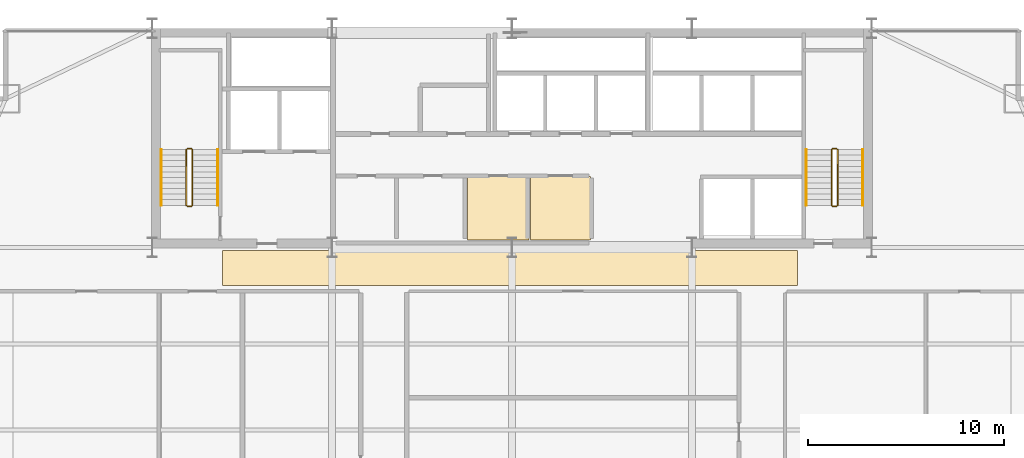
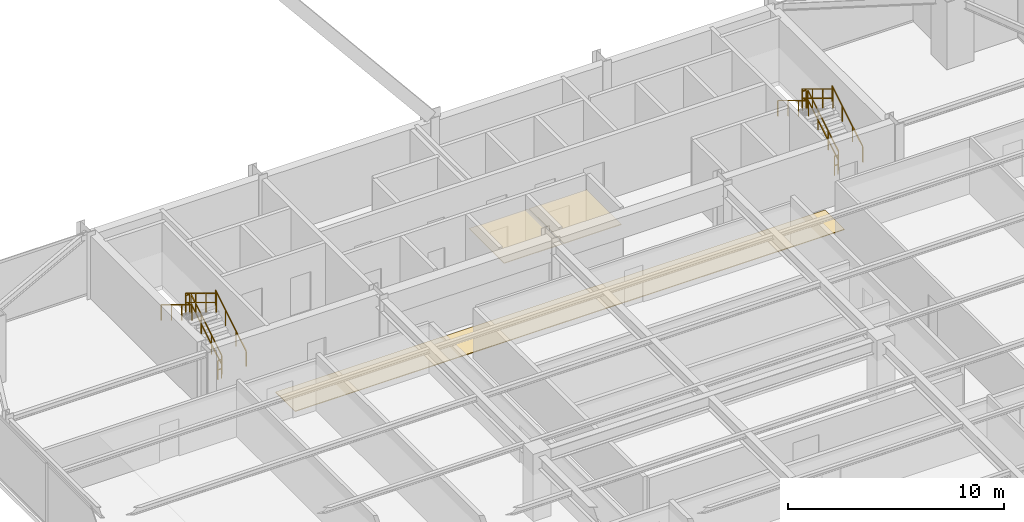
# One storey, part 37 of 37: 12 railings, 3 coverings.
"""IFC4 building model written with IfcOpenShell, lengths in metres."""

from ifc_helpers import new_model, si_unit, direction, frame, origin, origin_2d, place, context, subcontext, project, spatial, polyline, rectangle, outline, extrude, material, layer, layer_set, type_object, element, save


model = new_model("IFC4")

# Units and contexts
model_context = context("Model", 3, precision=1e-05, world=origin(), true_north=direction((0.0, 1.0)))
body_context = subcontext(model_context, "Body", "Model", "MODEL_VIEW")
ifc_project = project(units=[si_unit("LENGTHUNIT", "METRE"), si_unit("AREAUNIT", "SQUARE_METRE"), si_unit("VOLUMEUNIT", "CUBIC_METRE"), si_unit("PLANEANGLEUNIT", "RADIAN"), si_unit("MASSUNIT", "GRAM", prefix="KILO")], contexts=[model_context])

# Site, building, storey
site_placement = place(None, origin())
site = spatial("IfcSite", under=ifc_project, at=site_placement, CompositionType="ELEMENT")
building_placement = place(site_placement, origin())
building = spatial("IfcBuilding", under=site, at=building_placement, Name="Varnel Quay Broadcast Tower", CompositionType="ELEMENT")
storey_placement = place(building_placement, frame((0.0, 0.0, 125.800048828125)))
storey = spatial("IfcBuildingStorey", under=building, at=storey_placement, Name="L30", CompositionType="ELEMENT", Elevation=125.800048828125)

# Coverings
ifc_material_1 = material(Name="Micro-Perforated Acoustic Ceiling Tile")
ifc_layer_1 = layer(ifc_material_1, 0.0400390625, Name="Micro-Perforated Acoustic Ceiling Tile")
ifc_layer_set_1 = layer_set([ifc_layer_1], Name="Micro-Perforated Acoustic Ceiling Tile")
covering_type_1 = type_object("IfcCoveringType", Name="Cov_AcousticCeiling", PredefinedType="CEILING", material=ifc_layer_set_1)
covering_1_placement = place(storey_placement, frame((0.0, 0.0, 2.579833984375)))
element("IfcCovering", 1, at=covering_1_placement, inside=storey, type_object=covering_type_1, Name="L30 Broadcast First-Aid & Quiet Room Acoustic Ceiling", PredefinedType="CEILING", context=body_context, shape_type="SweptSolid", body=[
    extrude(outline(polyline([(31.735107421875, 35.985107421875), (34.864990234375, 35.985107421875), (34.864990234375, 39.215087890625), (31.735107421875, 39.215087890625), (31.735107421875, 35.985107421875)])), origin(), (0.0, 0.0, 1.0), 0.0400390625),
])
covering_2_placement = place(storey_placement, frame((0.0, 0.0, 2.579833984375)))
element("IfcCovering", 2, at=covering_2_placement, inside=storey, type_object=covering_type_1, Name="L30 Zone Lighting Dimmer Room Acoustic Ceiling", PredefinedType="CEILING", context=body_context, shape_type="SweptSolid", body=[
    extrude(outline(polyline([(34.93505859375, 35.985107421875), (38.014892578125, 35.985107421875), (38.014892578125, 39.215087890625), (34.93505859375, 39.215087890625), (34.93505859375, 35.985107421875)])), origin(), (0.0, 0.0, 1.0), 0.0400390625),
])
ifc_material_2 = material(Name="Polished Terrazzo & Broadcast Raised Flooring")
ifc_layer_2 = layer(ifc_material_2, 0.0400390625, Name="Polished Terrazzo & Broadcast Raised Flooring")
ifc_layer_set_2 = layer_set([ifc_layer_2], Name="Polished Terrazzo & Broadcast Raised Flooring")
covering_type_2 = type_object("IfcCoveringType", Name="Cov_TerrazzoFloor", PredefinedType="FLOORING", material=ifc_layer_set_2)
covering_3_placement = place(storey_placement, origin())
element("IfcCovering", 3, at=covering_3_placement, inside=storey, type_object=covering_type_2, Name="L30 Corridor Terrazzo Flooring", PredefinedType="FLOORING", context=body_context, shape_type="SweptSolid", body=[
    extrude(outline(polyline([(19.199951171875, 33.64990234375), (48.60009765625, 33.64990234375), (48.60009765625, 35.449951171875), (19.199951171875, 35.449951171875), (19.199951171875, 33.64990234375)])), origin(), (0.0, 0.0, 1.0), 0.0400390625),
])

# Railings
ifc_material_3 = material(Name="Painted Steel Guard and Handrail CSA G40.21 350W", Category="steel")
railing_type_1 = type_object("IfcRailingType", Name="Rail_StairGuard1100", PredefinedType="GUARDRAIL", material=ifc_material_3)
railing_1_placement = place(storey_placement, frame((17.64990234375, 37.75, 0.172607421875)))
element("IfcRailing", 4, at=railing_1_placement, inside=storey, type_object=railing_type_1, Name="L30 ST-01 stair guard 1", PredefinedType="GUARDRAIL", context=body_context, shape_type="SweptSolid", body=[
    extrude(rectangle(XDim=0.048095703125, YDim=0.048095703125, at=origin_2d()), frame((0.0, 0.0, 1.076171875), z_axis=(0.0, 0.855202751398, 0.518293598264), x_axis=(-1.0, 0.0, 0.0)), (0.0, 0.0, 1.0), 3.332763671875),
    extrude(rectangle(XDim=0.048095703125, YDim=0.048095703125, at=origin_2d()), frame((0.0, 0.0, 0.550048828125), z_axis=(0.0, 0.855202751398, 0.518293598264), x_axis=(-1.0, 0.0, 0.0)), (0.0, 0.0, 1.0), 3.332763671875),
    extrude(rectangle(XDim=0.0419921875, YDim=0.0419921875, at=origin_2d()), origin(), (0.0, 0.0, 1.0), 1.052001953125),
    extrude(rectangle(XDim=0.0419921875, YDim=0.0419921875, at=origin_2d()), frame((0.0, 0.949951171875, 0.57568359375)), (0.0, 0.0, 1.0), 1.052001953125),
    extrude(rectangle(XDim=0.0419921875, YDim=0.0419921875, at=origin_2d()), frame((0.0, 1.900146484375, 1.151611328125)), (0.0, 0.0, 1.0), 1.052001953125),
    extrude(rectangle(XDim=0.0419921875, YDim=0.0419921875, at=origin_2d()), frame((0.0, 2.85009765625, 1.727294921875)), (0.0, 0.0, 1.0), 1.052001953125),
])
railing_2_placement = place(storey_placement, frame((17.60009765625, 40.64990234375, 1.89990234375)))
element("IfcRailing", 5, at=railing_2_placement, inside=storey, type_object=railing_type_1, Name="L30 ST-01 stair guard 2", PredefinedType="GUARDRAIL", context=body_context, shape_type="SweptSolid", body=[
    extrude(rectangle(XDim=0.048095703125, YDim=0.048095703125, at=origin_2d()), frame((0.0, 0.0, 1.076171875), z_axis=(-1.0, 0.0, 0.0), x_axis=(0.0, -1.0, 0.0)), (0.0, 0.0, 1.0), 0.2001953125),
    extrude(rectangle(XDim=0.048095703125, YDim=0.048095703125, at=origin_2d()), frame((0.0, 0.0, 0.550048828125), z_axis=(-1.0, 0.0, 0.0), x_axis=(0.0, -1.0, 0.0)), (0.0, 0.0, 1.0), 0.2001953125),
    extrude(rectangle(XDim=0.0419921875, YDim=0.0419921875, at=origin_2d()), origin(), (0.0, 0.0, 1.0), 1.052001953125),
    extrude(rectangle(XDim=0.0419921875, YDim=0.0419921875, at=origin_2d()), frame((-0.2001953125, 0.0, 0.0)), (0.0, 0.0, 1.0), 1.052001953125),
])
railing_3_placement = place(storey_placement, frame((17.35009765625, 40.60009765625, 2.07275390625)))
element("IfcRailing", 6, at=railing_3_placement, inside=storey, type_object=railing_type_1, Name="L30 ST-01 stair guard 3", PredefinedType="GUARDRAIL", context=body_context, shape_type="SweptSolid", body=[
    extrude(rectangle(XDim=0.048095703125, YDim=0.048095703125, at=origin_2d()), frame((0.0, 0.0, 1.076171875), z_axis=(0.0, -0.855202751398, 0.518293598264), x_axis=(1.0, 0.0, 0.0)), (0.0, 0.0, 1.0), 3.332763671875),
    extrude(rectangle(XDim=0.048095703125, YDim=0.048095703125, at=origin_2d()), frame((0.0, 0.0, 0.550048828125), z_axis=(0.0, -0.855202751398, 0.518293598264), x_axis=(1.0, 0.0, 0.0)), (0.0, 0.0, 1.0), 3.332763671875),
    extrude(rectangle(XDim=0.0419921875, YDim=0.0419921875, at=origin_2d()), origin(), (0.0, 0.0, 1.0), 1.052001953125),
    extrude(rectangle(XDim=0.0419921875, YDim=0.0419921875, at=origin_2d()), frame((0.0, -0.949951171875, 0.57568359375)), (0.0, 0.0, 1.0), 1.052001953125),
    extrude(rectangle(XDim=0.0419921875, YDim=0.0419921875, at=origin_2d()), frame((0.0, -1.900146484375, 1.151611328125)), (0.0, 0.0, 1.0), 1.052001953125),
    extrude(rectangle(XDim=0.0419921875, YDim=0.0419921875, at=origin_2d()), frame((0.0, -2.85009765625, 1.727294921875)), (0.0, 0.0, 1.0), 1.052001953125),
])
railing_4_placement = place(storey_placement, frame((17.60009765625, 37.699951171875, 0.0)))
element("IfcRailing", 7, at=railing_4_placement, inside=storey, type_object=railing_type_1, Name="L30 ST-01 stair guard 4", PredefinedType="GUARDRAIL", context=body_context, shape_type="SweptSolid", body=[
    extrude(rectangle(XDim=0.048095703125, YDim=0.048095703125, at=origin_2d()), frame((0.0, 0.0, 1.076171875), z_axis=(-1.0, 0.0, 0.0), x_axis=(0.0, -1.0, 0.0)), (0.0, 0.0, 1.0), 0.2001953125),
    extrude(rectangle(XDim=0.048095703125, YDim=0.048095703125, at=origin_2d()), frame((0.0, 0.0, 0.550048828125), z_axis=(-1.0, 0.0, 0.0), x_axis=(0.0, -1.0, 0.0)), (0.0, 0.0, 1.0), 0.2001953125),
    extrude(rectangle(XDim=0.0419921875, YDim=0.0419921875, at=origin_2d()), origin(), (0.0, 0.0, 1.0), 1.052001953125),
    extrude(rectangle(XDim=0.0419921875, YDim=0.0419921875, at=origin_2d()), frame((-0.2001953125, 0.0, 0.0)), (0.0, 0.0, 1.0), 1.052001953125),
])
railing_5_placement = place(storey_placement, frame((50.64990234375, 37.75, 0.172607421875)))
element("IfcRailing", 8, at=railing_5_placement, inside=storey, type_object=railing_type_1, Name="L30 ST-02 stair guard 1", PredefinedType="GUARDRAIL", context=body_context, shape_type="SweptSolid", body=[
    extrude(rectangle(XDim=0.048095703125, YDim=0.048095703125, at=origin_2d()), frame((0.0, 0.0, 1.076171875), z_axis=(0.0, 0.855202751398, 0.518293598264), x_axis=(-1.0, 0.0, 0.0)), (0.0, 0.0, 1.0), 3.332763671875),
    extrude(rectangle(XDim=0.048095703125, YDim=0.048095703125, at=origin_2d()), frame((0.0, 0.0, 0.550048828125), z_axis=(0.0, 0.855202751398, 0.518293598264), x_axis=(-1.0, 0.0, 0.0)), (0.0, 0.0, 1.0), 3.332763671875),
    extrude(rectangle(XDim=0.0419921875, YDim=0.0419921875, at=origin_2d()), origin(), (0.0, 0.0, 1.0), 1.052001953125),
    extrude(rectangle(XDim=0.0419921875, YDim=0.0419921875, at=origin_2d()), frame((0.0, 0.949951171875, 0.57568359375)), (0.0, 0.0, 1.0), 1.052001953125),
    extrude(rectangle(XDim=0.0419921875, YDim=0.0419921875, at=origin_2d()), frame((0.0, 1.900146484375, 1.151611328125)), (0.0, 0.0, 1.0), 1.052001953125),
    extrude(rectangle(XDim=0.0419921875, YDim=0.0419921875, at=origin_2d()), frame((0.0, 2.85009765625, 1.727294921875)), (0.0, 0.0, 1.0), 1.052001953125),
])
railing_6_placement = place(storey_placement, frame((50.60009765625, 40.64990234375, 1.89990234375)))
element("IfcRailing", 9, at=railing_6_placement, inside=storey, type_object=railing_type_1, Name="L30 ST-02 stair guard 2", PredefinedType="GUARDRAIL", context=body_context, shape_type="SweptSolid", body=[
    extrude(rectangle(XDim=0.048095703125, YDim=0.048095703125, at=origin_2d()), frame((0.0, 0.0, 1.076171875), z_axis=(-1.0, 0.0, 0.0), x_axis=(0.0, -1.0, 0.0)), (0.0, 0.0, 1.0), 0.2001953125),
    extrude(rectangle(XDim=0.048095703125, YDim=0.048095703125, at=origin_2d()), frame((0.0, 0.0, 0.550048828125), z_axis=(-1.0, 0.0, 0.0), x_axis=(0.0, -1.0, 0.0)), (0.0, 0.0, 1.0), 0.2001953125),
    extrude(rectangle(XDim=0.0419921875, YDim=0.0419921875, at=origin_2d()), origin(), (0.0, 0.0, 1.0), 1.052001953125),
    extrude(rectangle(XDim=0.0419921875, YDim=0.0419921875, at=origin_2d()), frame((-0.2001953125, 0.0, 0.0)), (0.0, 0.0, 1.0), 1.052001953125),
])
railing_7_placement = place(storey_placement, frame((50.35009765625, 40.60009765625, 2.07275390625)))
element("IfcRailing", 10, at=railing_7_placement, inside=storey, type_object=railing_type_1, Name="L30 ST-02 stair guard 3", PredefinedType="GUARDRAIL", context=body_context, shape_type="SweptSolid", body=[
    extrude(rectangle(XDim=0.048095703125, YDim=0.048095703125, at=origin_2d()), frame((0.0, 0.0, 1.076171875), z_axis=(0.0, -0.855202751398, 0.518293598264), x_axis=(1.0, 0.0, 0.0)), (0.0, 0.0, 1.0), 3.332763671875),
    extrude(rectangle(XDim=0.048095703125, YDim=0.048095703125, at=origin_2d()), frame((0.0, 0.0, 0.550048828125), z_axis=(0.0, -0.855202751398, 0.518293598264), x_axis=(1.0, 0.0, 0.0)), (0.0, 0.0, 1.0), 3.332763671875),
    extrude(rectangle(XDim=0.0419921875, YDim=0.0419921875, at=origin_2d()), origin(), (0.0, 0.0, 1.0), 1.052001953125),
    extrude(rectangle(XDim=0.0419921875, YDim=0.0419921875, at=origin_2d()), frame((0.0, -0.949951171875, 0.57568359375)), (0.0, 0.0, 1.0), 1.052001953125),
    extrude(rectangle(XDim=0.0419921875, YDim=0.0419921875, at=origin_2d()), frame((0.0, -1.900146484375, 1.151611328125)), (0.0, 0.0, 1.0), 1.052001953125),
    extrude(rectangle(XDim=0.0419921875, YDim=0.0419921875, at=origin_2d()), frame((0.0, -2.85009765625, 1.727294921875)), (0.0, 0.0, 1.0), 1.052001953125),
])
railing_8_placement = place(storey_placement, frame((50.60009765625, 37.699951171875, 0.0)))
element("IfcRailing", 11, at=railing_8_placement, inside=storey, type_object=railing_type_1, Name="L30 ST-02 stair guard 4", PredefinedType="GUARDRAIL", context=body_context, shape_type="SweptSolid", body=[
    extrude(rectangle(XDim=0.048095703125, YDim=0.048095703125, at=origin_2d()), frame((0.0, 0.0, 1.076171875), z_axis=(-1.0, 0.0, 0.0), x_axis=(0.0, -1.0, 0.0)), (0.0, 0.0, 1.0), 0.2001953125),
    extrude(rectangle(XDim=0.048095703125, YDim=0.048095703125, at=origin_2d()), frame((0.0, 0.0, 0.550048828125), z_axis=(-1.0, 0.0, 0.0), x_axis=(0.0, -1.0, 0.0)), (0.0, 0.0, 1.0), 0.2001953125),
    extrude(rectangle(XDim=0.0419921875, YDim=0.0419921875, at=origin_2d()), origin(), (0.0, 0.0, 1.0), 1.052001953125),
    extrude(rectangle(XDim=0.0419921875, YDim=0.0419921875, at=origin_2d()), frame((-0.2001953125, 0.0, 0.0)), (0.0, 0.0, 1.0), 1.052001953125),
])
railing_type_2 = type_object("IfcRailingType", Name="Rail_StairHandrail900", PredefinedType="HANDRAIL", material=ifc_material_3)
railing_9_placement = place(storey_placement, frame((18.949951171875, 37.75, 0.172607421875)))
element("IfcRailing", 12, at=railing_9_placement, inside=storey, type_object=railing_type_2, Name="L30 ST-01 stair handrail 1", PredefinedType="HANDRAIL", context=body_context, shape_type="SweptSolid", body=[
    extrude(rectangle(XDim=0.048095703125, YDim=0.048095703125, at=origin_2d()), frame((0.0, 0.0, 0.8759765625), z_axis=(0.0, 0.855202751398, 0.518293598264), x_axis=(-1.0, 0.0, 0.0)), (0.0, 0.0, 1.0), 3.332763671875),
    extrude(rectangle(XDim=0.0419921875, YDim=0.0419921875, at=origin_2d()), origin(), (0.0, 0.0, 1.0), 0.851806640625),
    extrude(rectangle(XDim=0.0419921875, YDim=0.0419921875, at=origin_2d()), frame((0.0, 0.949951171875, 0.57568359375)), (0.0, 0.0, 1.0), 0.851806640625),
    extrude(rectangle(XDim=0.0419921875, YDim=0.0419921875, at=origin_2d()), frame((0.0, 1.900146484375, 1.151611328125)), (0.0, 0.0, 1.0), 0.851806640625),
    extrude(rectangle(XDim=0.0419921875, YDim=0.0419921875, at=origin_2d()), frame((0.0, 2.85009765625, 1.727294921875)), (0.0, 0.0, 1.0), 0.851806640625),
])
railing_10_placement = place(storey_placement, frame((16.050048828125, 40.60009765625, 2.07275390625)))
element("IfcRailing", 13, at=railing_10_placement, inside=storey, type_object=railing_type_2, Name="L30 ST-01 stair handrail 2", PredefinedType="HANDRAIL", context=body_context, shape_type="SweptSolid", body=[
    extrude(rectangle(XDim=0.048095703125, YDim=0.048095703125, at=origin_2d()), frame((0.0, 0.0, 0.8759765625), z_axis=(0.0, -0.855202751398, 0.518293598264), x_axis=(1.0, 0.0, 0.0)), (0.0, 0.0, 1.0), 3.332763671875),
    extrude(rectangle(XDim=0.0419921875, YDim=0.0419921875, at=origin_2d()), origin(), (0.0, 0.0, 1.0), 0.851806640625),
    extrude(rectangle(XDim=0.0419921875, YDim=0.0419921875, at=origin_2d()), frame((0.0, -0.949951171875, 0.57568359375)), (0.0, 0.0, 1.0), 0.851806640625),
    extrude(rectangle(XDim=0.0419921875, YDim=0.0419921875, at=origin_2d()), frame((0.0, -1.900146484375, 1.151611328125)), (0.0, 0.0, 1.0), 0.851806640625),
    extrude(rectangle(XDim=0.0419921875, YDim=0.0419921875, at=origin_2d()), frame((0.0, -2.85009765625, 1.727294921875)), (0.0, 0.0, 1.0), 0.851806640625),
])
railing_11_placement = place(storey_placement, frame((51.949951171875, 37.75, 0.172607421875)))
element("IfcRailing", 14, at=railing_11_placement, inside=storey, type_object=railing_type_2, Name="L30 ST-02 stair handrail 1", PredefinedType="HANDRAIL", context=body_context, shape_type="SweptSolid", body=[
    extrude(rectangle(XDim=0.048095703125, YDim=0.048095703125, at=origin_2d()), frame((0.0, 0.0, 0.8759765625), z_axis=(0.0, 0.855202751398, 0.518293598264), x_axis=(-1.0, 0.0, 0.0)), (0.0, 0.0, 1.0), 3.332763671875),
    extrude(rectangle(XDim=0.0419921875, YDim=0.0419921875, at=origin_2d()), origin(), (0.0, 0.0, 1.0), 0.851806640625),
    extrude(rectangle(XDim=0.0419921875, YDim=0.0419921875, at=origin_2d()), frame((0.0, 0.949951171875, 0.57568359375)), (0.0, 0.0, 1.0), 0.851806640625),
    extrude(rectangle(XDim=0.0419921875, YDim=0.0419921875, at=origin_2d()), frame((0.0, 1.900146484375, 1.151611328125)), (0.0, 0.0, 1.0), 0.851806640625),
    extrude(rectangle(XDim=0.0419921875, YDim=0.0419921875, at=origin_2d()), frame((0.0, 2.85009765625, 1.727294921875)), (0.0, 0.0, 1.0), 0.851806640625),
])
railing_12_placement = place(storey_placement, frame((49.050048828125, 40.60009765625, 2.07275390625)))
element("IfcRailing", 15, at=railing_12_placement, inside=storey, type_object=railing_type_2, Name="L30 ST-02 stair handrail 2", PredefinedType="HANDRAIL", context=body_context, shape_type="SweptSolid", body=[
    extrude(rectangle(XDim=0.048095703125, YDim=0.048095703125, at=origin_2d()), frame((0.0, 0.0, 0.8759765625), z_axis=(0.0, -0.855202751398, 0.518293598264), x_axis=(1.0, 0.0, 0.0)), (0.0, 0.0, 1.0), 3.332763671875),
    extrude(rectangle(XDim=0.0419921875, YDim=0.0419921875, at=origin_2d()), origin(), (0.0, 0.0, 1.0), 0.851806640625),
    extrude(rectangle(XDim=0.0419921875, YDim=0.0419921875, at=origin_2d()), frame((0.0, -0.949951171875, 0.57568359375)), (0.0, 0.0, 1.0), 0.851806640625),
    extrude(rectangle(XDim=0.0419921875, YDim=0.0419921875, at=origin_2d()), frame((0.0, -1.900146484375, 1.151611328125)), (0.0, 0.0, 1.0), 0.851806640625),
    extrude(rectangle(XDim=0.0419921875, YDim=0.0419921875, at=origin_2d()), frame((0.0, -2.85009765625, 1.727294921875)), (0.0, 0.0, 1.0), 0.851806640625),
])

save(model, "model.ifc")
